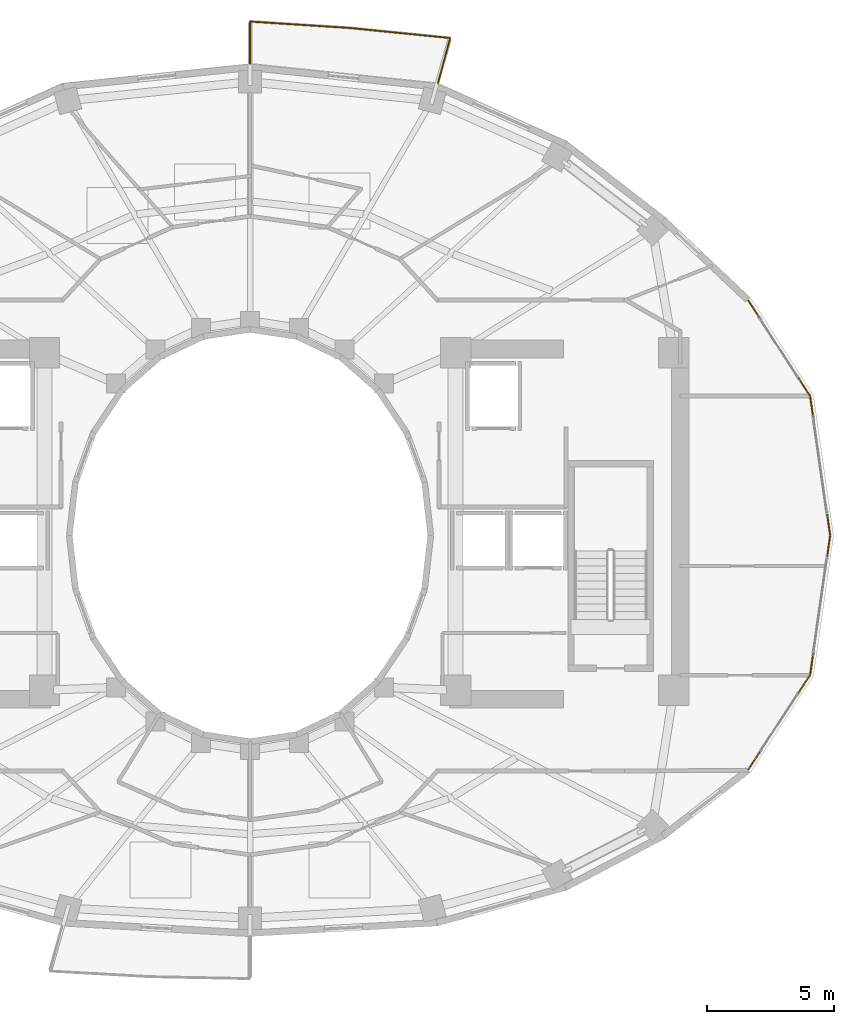
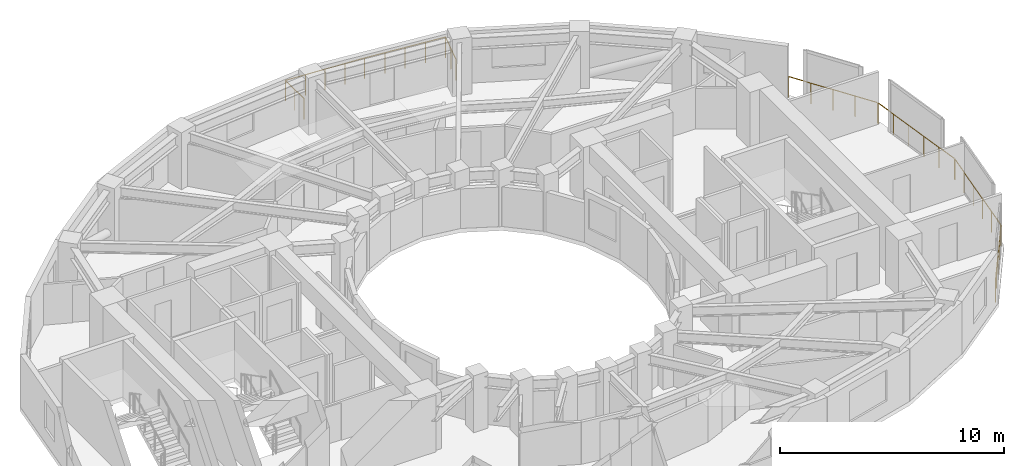
# One storey, part 13 of 13: 5 railings.
"""IFC4 building model written with IfcOpenShell, lengths in metres."""

from ifc_helpers import new_model, si_unit, direction, frame, origin, origin_2d, place, context, subcontext, project, spatial, circle, extrude, material, type_object, element, save


model = new_model("IFC4")

# Units and contexts
model_context = context("Model", 3, precision=1e-05, world=origin(), true_north=direction((0.0, 1.0)))
body_context = subcontext(model_context, "Body", "Model", "MODEL_VIEW")
ifc_project = project(units=[si_unit("LENGTHUNIT", "METRE"), si_unit("AREAUNIT", "SQUARE_METRE"), si_unit("VOLUMEUNIT", "CUBIC_METRE"), si_unit("PLANEANGLEUNIT", "RADIAN"), si_unit("MASSUNIT", "GRAM", prefix="KILO")], contexts=[model_context])

# Site, building, storey
site_placement = place(None, origin())
site = spatial("IfcSite", under=ifc_project, at=site_placement, CompositionType="ELEMENT")
building_placement = place(site_placement, origin())
building = spatial("IfcBuilding", under=site, at=building_placement, Name="Solvane Sanctuary Tower", CompositionType="ELEMENT")
storey_placement = place(building_placement, frame((0.0, 0.0, 156.0)))
storey = spatial("IfcBuildingStorey", under=building, at=storey_placement, Name="L47", CompositionType="ELEMENT", Elevation=156.0)

# Railings
ifc_material = material(Name="Architectural Stainless Steel 316", Category="steel")
railing_type = type_object("IfcRailingType", Name="Railing GR-BALC-1150", PredefinedType="BALUSTRADE", material=ifc_material)
railing_1_placement = place(storey_placement, frame((54.855712890625, 23.02978515625, 0.0)))
element("IfcRailing", 1, at=railing_1_placement, inside=storey, type_object=railing_type, Name="L47 Curtain-Wall Perimeter Sill Guard 00", PredefinedType="BALUSTRADE", context=body_context, shape_type="SweptSolid", body=[
    extrude(circle(Radius=0.02392578125, at=origin_2d()), frame((0.0, 0.0, 1.1259765625), z_axis=(-0.142230243532, 0.989833601079, 0.0), x_axis=(-0.989833601079, -0.142230243532, 0.0)), (0.0, 0.0, 1.0), 5.492919921875),
    extrude(circle(Radius=0.02099609375, at=origin_2d()), origin(), (0.0, 0.0, 1.0), 1.101806640625),
    extrude(circle(Radius=0.02099609375, at=origin_2d()), frame((-0.15625, 1.08740234375, 0.0)), (0.0, 0.0, 1.0), 1.101806640625),
    extrude(circle(Radius=0.02099609375, at=origin_2d()), frame((-0.3125, 2.1748046875, 0.0)), (0.0, 0.0, 1.0), 1.101806640625),
    extrude(circle(Radius=0.02099609375, at=origin_2d()), frame((-0.46875, 3.26220703125, 0.0)), (0.0, 0.0, 1.0), 1.101806640625),
    extrude(circle(Radius=0.02099609375, at=origin_2d()), frame((-0.625, 4.349609375, 0.0)), (0.0, 0.0, 1.0), 1.101806640625),
    extrude(circle(Radius=0.02099609375, at=origin_2d()), frame((-0.78125, 5.43701171875, 0.0)), (0.0, 0.0, 1.0), 1.101806640625),
])
railing_2_placement = place(storey_placement, frame((54.053955078125, 28.521728515625, 0.0)))
element("IfcRailing", 2, at=railing_2_placement, inside=storey, type_object=railing_type, Name="L47 Curtain-Wall Perimeter Sill Guard 01", PredefinedType="BALUSTRADE", context=body_context, shape_type="SweptSolid", body=[
    extrude(circle(Radius=0.02392578125, at=origin_2d()), frame((0.0, 0.0, 1.1259765625), z_axis=(-0.543333147582, 0.839517177155, 0.0), x_axis=(-0.839517177155, -0.543333147582, 0.0)), (0.0, 0.0, 1.0), 4.451171875),
    extrude(circle(Radius=0.02099609375, at=origin_2d()), origin(), (0.0, 0.0, 1.0), 1.101806640625),
    extrude(circle(Radius=0.02099609375, at=origin_2d()), frame((-0.6044921875, 0.93408203125, 0.0)), (0.0, 0.0, 1.0), 1.101806640625),
    extrude(circle(Radius=0.02099609375, at=origin_2d()), frame((-1.209228515625, 1.868408203125, 0.0)), (0.0, 0.0, 1.0), 1.101806640625),
    extrude(circle(Radius=0.02099609375, at=origin_2d()), frame((-1.81396484375, 2.802734375, 0.0)), (0.0, 0.0, 1.0), 1.101806640625),
    extrude(circle(Radius=0.02099609375, at=origin_2d()), frame((-2.41845703125, 3.73681640625, 0.0)), (0.0, 0.0, 1.0), 1.101806640625),
])
railing_3_placement = place(storey_placement, frame((39.410400390625, 40.82958984375, 0.0)))
element("IfcRailing", 3, at=railing_3_placement, inside=storey, type_object=railing_type, Name="L47 Wave Balcony Balustrade NC", PredefinedType="BALUSTRADE", context=body_context, shape_type="SweptSolid", body=[
    extrude(circle(Radius=0.02392578125, at=origin_2d()), frame((0.0, 0.0, 1.1259765625), z_axis=(0.258820206775, 0.965925515019, 0.0), x_axis=(-0.965925515019, 0.258820206775, 0.0)), (0.0, 0.0, 1.0), 1.83740234375),
    extrude(circle(Radius=0.02392578125, at=origin_2d()), frame((0.4755859375, 1.77490234375, 1.1259765625), z_axis=(-0.995001773663, 0.099857250147, 0.0), x_axis=(-0.099857250147, -0.995001773663, 0.0)), (0.0, 0.0, 1.0), 3.965576171875),
    extrude(circle(Radius=0.02392578125, at=origin_2d()), frame((-3.47021484375, 2.1708984375, 1.1259765625), z_axis=(-0.997930175899, 0.064306796142, 0.0), x_axis=(-0.064306796142, -0.997930175899, 0.0)), (0.0, 0.0, 1.0), 3.9482421875),
    extrude(circle(Radius=0.02392578125, at=origin_2d()), frame((-7.410400390625, 2.4248046875, 1.1259765625), z_axis=(0.0, -1.0, 0.0), x_axis=(1.0, 0.0, 0.0)), (0.0, 0.0, 1.0), 1.654296875),
    extrude(circle(Radius=0.02099609375, at=origin_2d()), origin(), (0.0, 0.0, 1.0), 1.101806640625),
    extrude(circle(Radius=0.02099609375, at=origin_2d()), frame((0.23779296875, 0.887451171875, 0.0)), (0.0, 0.0, 1.0), 1.101806640625),
    extrude(circle(Radius=0.02099609375, at=origin_2d()), frame((0.4755859375, 1.77490234375, 0.0)), (0.0, 0.0, 1.0), 1.101806640625),
    extrude(circle(Radius=0.02099609375, at=origin_2d()), frame((-0.5107421875, 1.8740234375, 0.0)), (0.0, 0.0, 1.0), 1.101806640625),
    extrude(circle(Radius=0.02099609375, at=origin_2d()), frame((-1.497314453125, 1.972900390625, 0.0)), (0.0, 0.0, 1.0), 1.101806640625),
    extrude(circle(Radius=0.02099609375, at=origin_2d()), frame((-2.48388671875, 2.07177734375, 0.0)), (0.0, 0.0, 1.0), 1.101806640625),
    extrude(circle(Radius=0.02099609375, at=origin_2d()), frame((-3.47021484375, 2.1708984375, 0.0)), (0.0, 0.0, 1.0), 1.101806640625),
    extrude(circle(Radius=0.02099609375, at=origin_2d()), frame((-4.455322265625, 2.234375, 0.0)), (0.0, 0.0, 1.0), 1.101806640625),
    extrude(circle(Radius=0.02099609375, at=origin_2d()), frame((-5.4404296875, 2.2978515625, 0.0)), (0.0, 0.0, 1.0), 1.101806640625),
    extrude(circle(Radius=0.02099609375, at=origin_2d()), frame((-6.42529296875, 2.361328125, 0.0)), (0.0, 0.0, 1.0), 1.101806640625),
    extrude(circle(Radius=0.02099609375, at=origin_2d()), frame((-7.410400390625, 2.4248046875, 0.0)), (0.0, 0.0, 1.0), 1.101806640625),
    extrude(circle(Radius=0.02099609375, at=origin_2d()), frame((-7.410400390625, 1.59765625, 0.0)), (0.0, 0.0, 1.0), 1.101806640625),
    extrude(circle(Radius=0.02099609375, at=origin_2d()), frame((-7.410400390625, 0.7705078125, 0.0)), (0.0, 0.0, 1.0), 1.101806640625),
])
railing_4_placement = place(storey_placement, frame((51.635498046875, 13.78173828125, 0.0)))
element("IfcRailing", 4, at=railing_4_placement, inside=storey, type_object=railing_type, Name="L47 Curtain-Wall Perimeter Sill Guard 22", PredefinedType="BALUSTRADE", context=body_context, shape_type="SweptSolid", body=[
    extrude(circle(Radius=0.02392578125, at=origin_2d()), frame((0.0, 0.0, 1.1259765625), z_axis=(0.547422082953, 0.836856656241, 0.0), x_axis=(-0.836856656241, 0.547422082953, 0.0)), (0.0, 0.0, 1.0), 4.41748046875),
    extrude(circle(Radius=0.02099609375, at=origin_2d()), origin(), (0.0, 0.0, 1.0), 1.101806640625),
    extrude(circle(Radius=0.02099609375, at=origin_2d()), frame((0.6044921875, 0.92431640625, 0.0)), (0.0, 0.0, 1.0), 1.101806640625),
    extrude(circle(Radius=0.02099609375, at=origin_2d()), frame((1.208984375, 1.848388671875, 0.0)), (0.0, 0.0, 1.0), 1.101806640625),
    extrude(circle(Radius=0.02099609375, at=origin_2d()), frame((1.813720703125, 2.7724609375, 0.0)), (0.0, 0.0, 1.0), 1.101806640625),
    extrude(circle(Radius=0.02099609375, at=origin_2d()), frame((2.418212890625, 3.69677734375, 0.0)), (0.0, 0.0, 1.0), 1.101806640625),
])
railing_5_placement = place(storey_placement, frame((54.074462890625, 17.533203125, 0.0)))
element("IfcRailing", 5, at=railing_5_placement, inside=storey, type_object=railing_type, Name="L47 Curtain-Wall Perimeter Sill Guard 23", PredefinedType="BALUSTRADE", context=body_context, shape_type="SweptSolid", body=[
    extrude(circle(Radius=0.02392578125, at=origin_2d()), frame((0.0, 0.0, 1.1259765625), z_axis=(0.142230243532, 0.989833601079, 0.0), x_axis=(-0.989833601079, 0.142230243532, 0.0)), (0.0, 0.0, 1.0), 5.492919921875),
    extrude(circle(Radius=0.02099609375, at=origin_2d()), origin(), (0.0, 0.0, 1.0), 1.101806640625),
    extrude(circle(Radius=0.02099609375, at=origin_2d()), frame((0.15625, 1.08740234375, 0.0)), (0.0, 0.0, 1.0), 1.101806640625),
    extrude(circle(Radius=0.02099609375, at=origin_2d()), frame((0.3125, 2.1748046875, 0.0)), (0.0, 0.0, 1.0), 1.101806640625),
    extrude(circle(Radius=0.02099609375, at=origin_2d()), frame((0.46875, 3.26220703125, 0.0)), (0.0, 0.0, 1.0), 1.101806640625),
    extrude(circle(Radius=0.02099609375, at=origin_2d()), frame((0.625, 4.349609375, 0.0)), (0.0, 0.0, 1.0), 1.101806640625),
    extrude(circle(Radius=0.02099609375, at=origin_2d()), frame((0.78125, 5.43701171875, 0.0)), (0.0, 0.0, 1.0), 1.101806640625),
])

save(model, "model.ifc")
